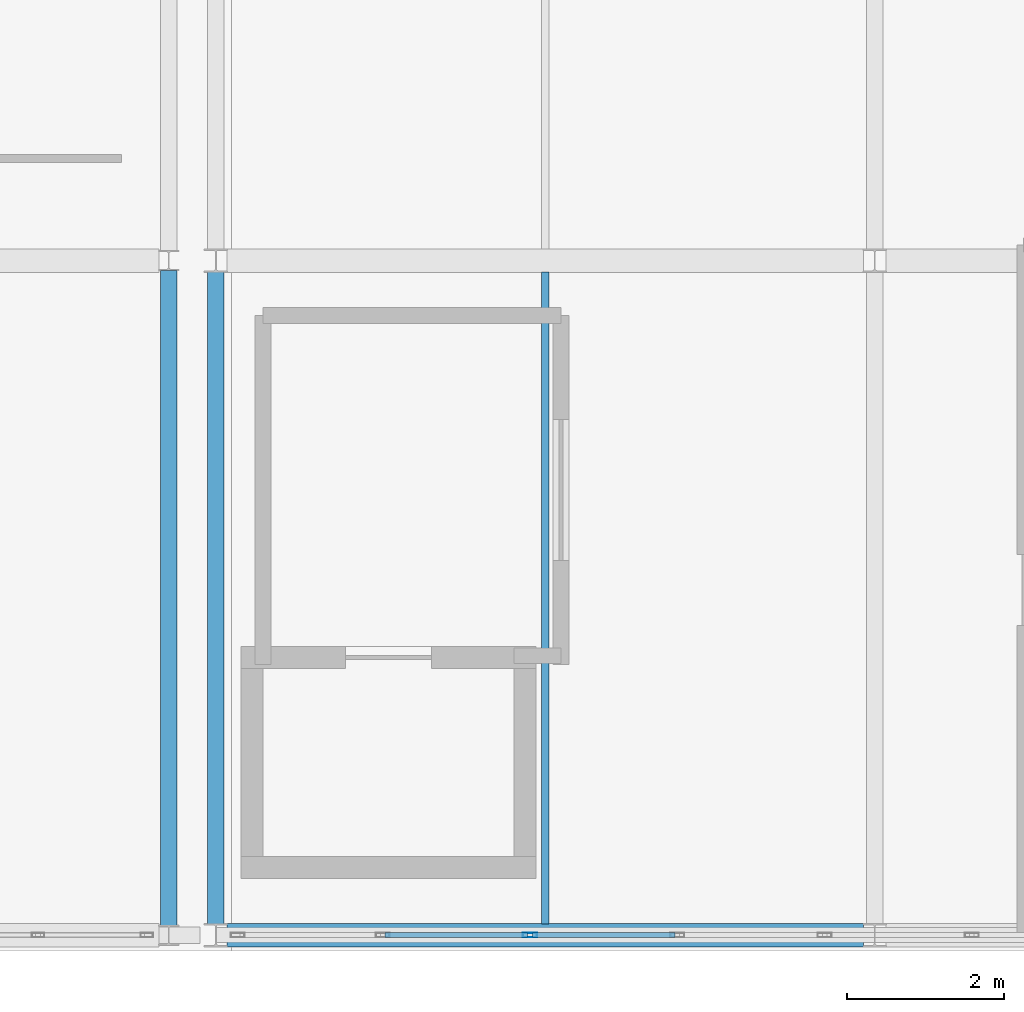
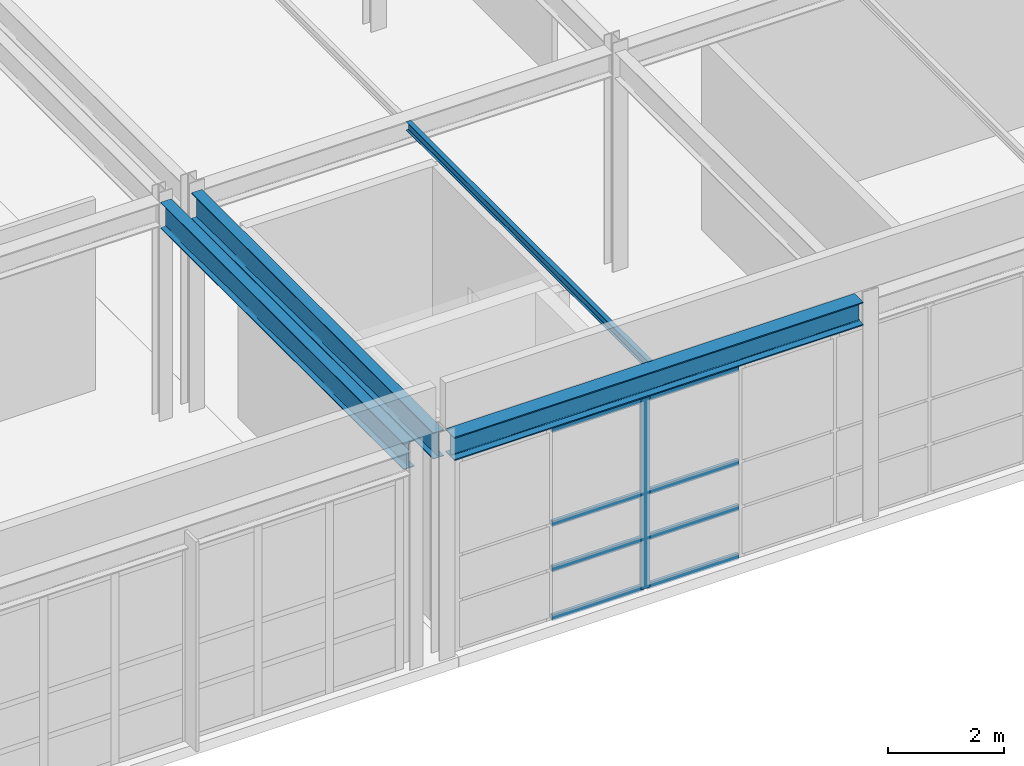
# One storey, part 18 of 38: 9 members, 4 beams, 1 element without a shape of its own.
"""IFC4 building model written with IfcOpenShell, lengths in metres."""

from ifc_helpers import new_model, si_unit, direction, frame, origin, origin_2d, place, context, subcontext, project, spatial, hollow_rectangle, i_section, extrude, material, material_profile, profile_set, type_object, element, aggregate, save


model = new_model("IFC4")

# Units and contexts
model_context = context("Model", 3, precision=1e-05, world=origin(), true_north=direction((0.0, 1.0)))
body_context = subcontext(model_context, "Body", "Model", "MODEL_VIEW")
ifc_project = project(units=[si_unit("LENGTHUNIT", "METRE"), si_unit("AREAUNIT", "SQUARE_METRE"), si_unit("VOLUMEUNIT", "CUBIC_METRE"), si_unit("PLANEANGLEUNIT", "RADIAN"), si_unit("MASSUNIT", "GRAM", prefix="KILO")], contexts=[model_context])

# Site, building, storey
site_placement = place(None, origin())
site = spatial("IfcSite", under=ifc_project, at=site_placement, CompositionType="ELEMENT")
building_placement = place(site_placement, origin())
building = spatial("IfcBuilding", under=site, at=building_placement, Name="Kaldris Quays Convention Centre", CompositionType="ELEMENT")
storey_placement = place(building_placement, frame((0.0, 0.0, 21.60009765625)))
storey = spatial("IfcBuildingStorey", under=building, at=storey_placement, Name="L04", CompositionType="ELEMENT", Elevation=21.60009765625)

# Curtain wall, members
ifc_material_1 = material(Name="Anodized aluminium AW-6060 and triple glazing", Category="aluminium")
curtain_wall_type = type_object("IfcCurtainWallType", Name="UNITISED CURTAIN WALL CW05", PredefinedType="NOTDEFINED", material=ifc_material_1)
curtain_wall_placement = place(storey_placement, origin())
curtain_wall = element("IfcCurtainWall", 1, at=curtain_wall_placement, inside=storey, type_object=curtain_wall_type, Name="L04 Unitised Curtain Wall CW05 152", PredefinedType="NOTDEFINED")
ifc_material_2 = material(Name="Anodized aluminium AW-6060", Category="aluminium")
ifc_material_profile_1 = material_profile(ifc_material_2, hollow_rectangle(XDim=0.06005859375, YDim=0.179931640625, WallThickness=0.0048828125, at=origin_2d()), Name="RHS 180x60x5")
ifc_profile_set_1 = profile_set([ifc_material_profile_1], Name="Anodized aluminium AW-6060")
member_type_1 = type_object("IfcMemberType", Name="CURTAIN MULLION CWM2", PredefinedType="MULLION", material=ifc_profile_set_1)
member_1_placement = place(storey_placement, frame((150.60546875, 38.0, 0.0), z_axis=(0.0, 0.0, 1.0), x_axis=(0.0, 1.0, 0.0)))
member_1 = element("IfcMember", 2, at=member_1_placement, type_object=member_type_1, Name="CW05 mullion 3", PredefinedType="MULLION", context=body_context, shape_type="SweptSolid", body=[
    extrude(hollow_rectangle(XDim=0.06005859375, YDim=0.179931640625, WallThickness=0.0048828125, at=origin_2d()), origin(), (0.0, 0.0, 1.0), 4.0),
])
ifc_material_profile_2 = material_profile(ifc_material_2, hollow_rectangle(XDim=0.06005859375, YDim=0.1201171875, WallThickness=0.00390625, at=origin_2d()), Name="RHS 120x60x4")
ifc_profile_set_2 = profile_set([ifc_material_profile_2], Name="Anodized aluminium AW-6060")
member_type_2 = type_object("IfcMemberType", Name="CURTAIN TRANSOM CWT1", PredefinedType="USERDEFINED", material=ifc_profile_set_2)
member_2_placement = place(storey_placement, frame((148.7578125, 38.0, 0.02978515625), z_axis=(1.0, 0.0, 0.0), x_axis=(0.0, 1.0, 0.0)))
member_2 = element("IfcMember", 3, at=member_2_placement, type_object=member_type_2, Name="CW05 transom 2.1", ObjectType="TRANSOM", PredefinedType="USERDEFINED", context=body_context, shape_type="SweptSolid", body=[
    extrude(hollow_rectangle(XDim=0.06005859375, YDim=0.1201171875, WallThickness=0.00390625, at=origin_2d()), origin(), (0.0, 0.0, 1.0), 1.817626953125),
])
member_3_placement = place(storey_placement, frame((148.7578125, 38.0, 1.0498046875), z_axis=(1.0, 0.0, 0.0), x_axis=(0.0, 1.0, 0.0)))
member_3 = element("IfcMember", 4, at=member_3_placement, type_object=member_type_2, Name="CW05 transom 2.2", ObjectType="TRANSOM", PredefinedType="USERDEFINED", context=body_context, shape_type="SweptSolid", body=[
    extrude(hollow_rectangle(XDim=0.06005859375, YDim=0.1201171875, WallThickness=0.00390625, at=origin_2d()), origin(), (0.0, 0.0, 1.0), 1.817626953125),
])
member_4_placement = place(storey_placement, frame((148.7578125, 38.0, 2.0), z_axis=(1.0, 0.0, 0.0), x_axis=(0.0, 1.0, 0.0)))
member_4 = element("IfcMember", 5, at=member_4_placement, type_object=member_type_2, Name="CW05 transom 2.3", ObjectType="TRANSOM", PredefinedType="USERDEFINED", context=body_context, shape_type="SweptSolid", body=[
    extrude(hollow_rectangle(XDim=0.06005859375, YDim=0.1201171875, WallThickness=0.00390625, at=origin_2d()), origin(), (0.0, 0.0, 1.0), 1.817626953125),
])
member_5_placement = place(storey_placement, frame((148.7578125, 38.0, 3.969970703125), z_axis=(1.0, 0.0, 0.0), x_axis=(0.0, 1.0, 0.0)))
member_5 = element("IfcMember", 6, at=member_5_placement, type_object=member_type_2, Name="CW05 transom 2.4", ObjectType="TRANSOM", PredefinedType="USERDEFINED", context=body_context, shape_type="SweptSolid", body=[
    extrude(hollow_rectangle(XDim=0.06005859375, YDim=0.1201171875, WallThickness=0.00390625, at=origin_2d()), origin(), (0.0, 0.0, 1.0), 1.817626953125),
])
member_6_placement = place(storey_placement, frame((150.635498046875, 38.0, 0.02978515625), z_axis=(1.0, 0.0, 0.0), x_axis=(0.0, 1.0, 0.0)))
member_6 = element("IfcMember", 7, at=member_6_placement, type_object=member_type_2, Name="CW05 transom 3.1", ObjectType="TRANSOM", PredefinedType="USERDEFINED", context=body_context, shape_type="SweptSolid", body=[
    extrude(hollow_rectangle(XDim=0.06005859375, YDim=0.1201171875, WallThickness=0.00390625, at=origin_2d()), origin(), (0.0, 0.0, 1.0), 1.81787109375),
])
member_7_placement = place(storey_placement, frame((150.635498046875, 38.0, 1.0498046875), z_axis=(1.0, 0.0, 0.0), x_axis=(0.0, 1.0, 0.0)))
member_7 = element("IfcMember", 8, at=member_7_placement, type_object=member_type_2, Name="CW05 transom 3.2", ObjectType="TRANSOM", PredefinedType="USERDEFINED", context=body_context, shape_type="SweptSolid", body=[
    extrude(hollow_rectangle(XDim=0.06005859375, YDim=0.1201171875, WallThickness=0.00390625, at=origin_2d()), origin(), (0.0, 0.0, 1.0), 1.81787109375),
])
member_8_placement = place(storey_placement, frame((150.635498046875, 38.0, 2.0), z_axis=(1.0, 0.0, 0.0), x_axis=(0.0, 1.0, 0.0)))
member_8 = element("IfcMember", 9, at=member_8_placement, type_object=member_type_2, Name="CW05 transom 3.3", ObjectType="TRANSOM", PredefinedType="USERDEFINED", context=body_context, shape_type="SweptSolid", body=[
    extrude(hollow_rectangle(XDim=0.06005859375, YDim=0.1201171875, WallThickness=0.00390625, at=origin_2d()), origin(), (0.0, 0.0, 1.0), 1.81787109375),
])
member_9_placement = place(storey_placement, frame((150.635498046875, 38.0, 3.969970703125), z_axis=(1.0, 0.0, 0.0), x_axis=(0.0, 1.0, 0.0)))
member_9 = element("IfcMember", 10, at=member_9_placement, type_object=member_type_2, Name="CW05 transom 3.4", ObjectType="TRANSOM", PredefinedType="USERDEFINED", context=body_context, shape_type="SweptSolid", body=[
    extrude(hollow_rectangle(XDim=0.06005859375, YDim=0.1201171875, WallThickness=0.00390625, at=origin_2d()), origin(), (0.0, 0.0, 1.0), 1.81787109375),
])
aggregate(curtain_wall, [member_1, member_2, member_3, member_4, member_5, member_6, member_7, member_8, member_9])

# Beams
ifc_material_3 = material(Name="Steel S355J2", Category="steel")
ifc_material_profile_3 = material_profile(ifc_material_3, i_section(OverallWidth=0.300048828125, OverallDepth=0.489990234375, WebThickness=0.011962890625, FlangeThickness=0.02294921875, FilletRadius=0.027099609375, at=origin_2d()), Name="HEA 500")
ifc_profile_set_3 = profile_set([ifc_material_profile_3], Name="Steel S355J2")
beam_type_1 = type_object("IfcBeamType", Name="STRUCTURAL BEAM BM09", PredefinedType="BEAM", material=ifc_profile_set_3)
beam_1_placement = place(storey_placement, frame((146.743896484375, 38.0, 4.347900390625), z_axis=(1.0, 0.0, 0.0), x_axis=(0.0, 1.0, 0.0)))
element("IfcBeam", 11, at=beam_1_placement, inside=storey, type_object=beam_type_1, Name="L04 Girder BM09 7", PredefinedType="BEAM", context=body_context, shape_type="SweptSolid", body=[
    extrude(i_section(OverallWidth=0.300048828125, OverallDepth=0.489990234375, WebThickness=0.011962890625, FlangeThickness=0.02294921875, FilletRadius=0.027099609375, at=origin_2d()), origin(), (0.0, 0.0, 1.0), 8.112060546875),
])
ifc_material_profile_4 = material_profile(ifc_material_3, i_section(OverallWidth=0.2099609375, OverallDepth=0.550048828125, WebThickness=0.010986328125, FlangeThickness=0.01708984375, FilletRadius=0.02392578125, at=origin_2d()), Name="IPE 550")
ifc_profile_set_4 = profile_set([ifc_material_profile_4], Name="Steel S355J2")
beam_type_2 = type_object("IfcBeamType", Name="STRUCTURAL BEAM BM11", PredefinedType="BEAM", material=ifc_profile_set_4)
beam_2_placement = place(storey_placement, frame((146.0, 38.1240234375, 4.31787109375), z_axis=(0.0, 1.0, 0.0), x_axis=(-1.0, 0.0, 0.0)))
element("IfcBeam", 12, at=beam_2_placement, inside=storey, type_object=beam_type_2, Name="L04 Girder BM11 44", PredefinedType="BEAM", context=body_context, shape_type="SweptSolid", body=[
    extrude(i_section(OverallWidth=0.2099609375, OverallDepth=0.550048828125, WebThickness=0.010986328125, FlangeThickness=0.01708984375, FilletRadius=0.02392578125, at=origin_2d()), origin(), (0.0, 0.0, 1.0), 8.35205078125),
])
beam_3_placement = place(storey_placement, frame((146.60009765625, 38.14404296875, 4.31787109375), z_axis=(0.0, 1.0, 0.0), x_axis=(-1.0, 0.0, 0.0)))
element("IfcBeam", 13, at=beam_3_placement, inside=storey, type_object=beam_type_2, Name="L04 Girder BM11 46", PredefinedType="BEAM", context=body_context, shape_type="SweptSolid", body=[
    extrude(i_section(OverallWidth=0.2099609375, OverallDepth=0.550048828125, WebThickness=0.010986328125, FlangeThickness=0.01708984375, FilletRadius=0.02392578125, at=origin_2d()), origin(), (0.0, 0.0, 1.0), 8.31201171875),
])
ifc_material_profile_5 = material_profile(ifc_material_3, i_section(OverallWidth=0.091064453125, OverallDepth=0.179931640625, WebThickness=0.00537109375, FlangeThickness=0.008056640625, FilletRadius=0.009033203125, at=origin_2d()), Name="IPE 180")
ifc_profile_set_5 = profile_set([ifc_material_profile_5], Name="Steel S355J2")
beam_type_3 = type_object("IfcBeamType", Name="STRUCTURAL BEAM JT10", PredefinedType="JOIST", material=ifc_profile_set_5)
beam_4_placement = place(storey_placement, frame((150.800048828125, 38.14404296875, 4.5029296875), z_axis=(0.0, 1.0, 0.0), x_axis=(-1.0, 0.0, 0.0)))
element("IfcBeam", 14, at=beam_4_placement, inside=storey, type_object=beam_type_3, Name="L04 Secondary Joist JT10 1", PredefinedType="JOIST", context=body_context, shape_type="SweptSolid", body=[
    extrude(i_section(OverallWidth=0.091064453125, OverallDepth=0.179931640625, WebThickness=0.00537109375, FlangeThickness=0.008056640625, FilletRadius=0.009033203125, at=origin_2d()), origin(), (0.0, 0.0, 1.0), 8.31201171875),
])

save(model, "model.ifc")
